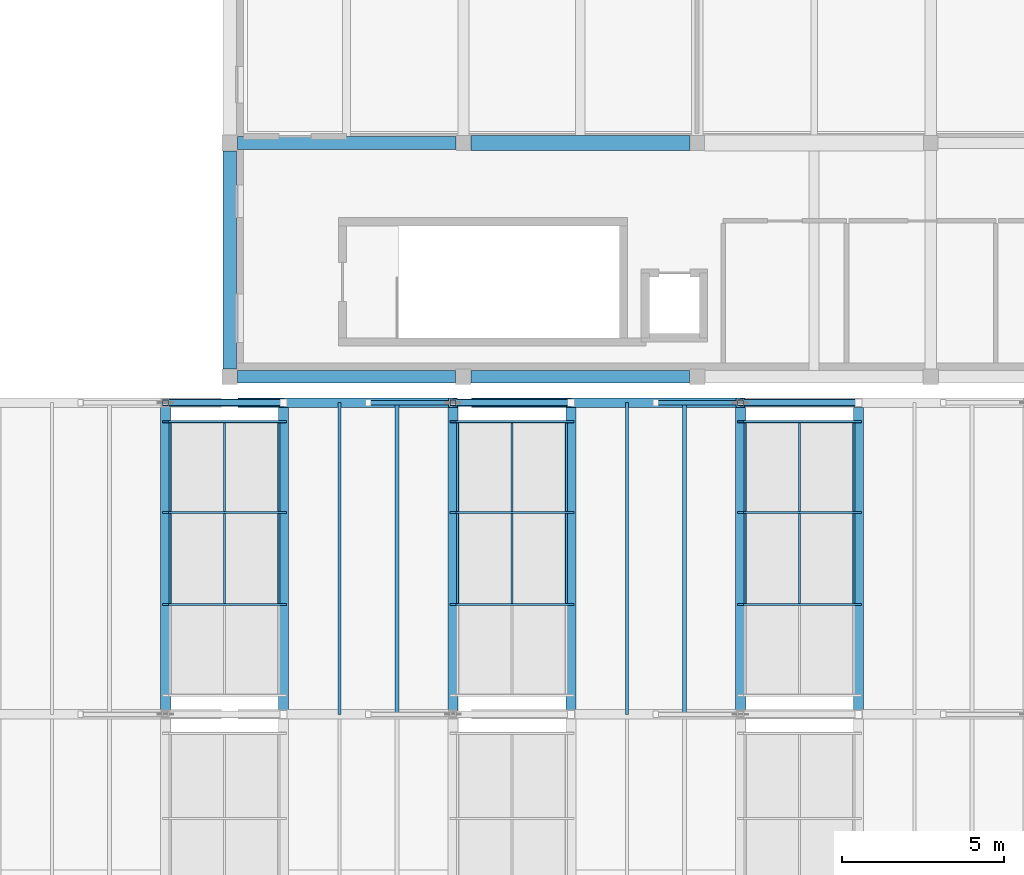
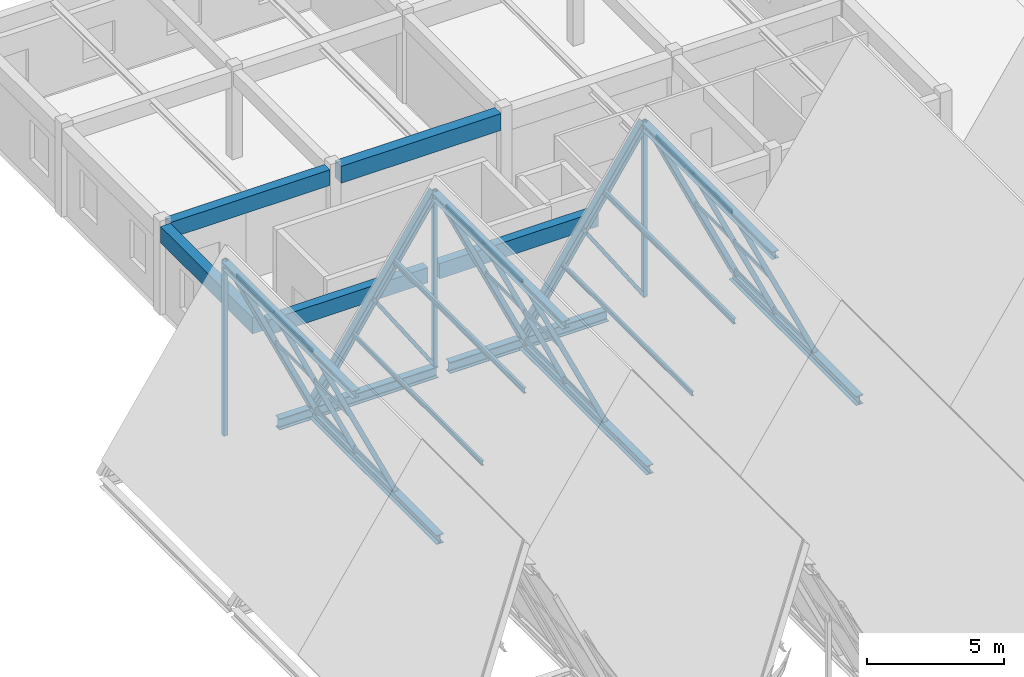
# One storey, part 58 of 99: 41 members, 13 beams, 3 elements without a shape of their own.
"""IFC4 building model written with IfcOpenShell, lengths in metres."""

from ifc_helpers import new_model, si_unit, direction, frame, origin, origin_2d, place, context, subcontext, project, spatial, rectangle, hollow_rectangle, hollow_circle, i_section, extrude, material, material_profile, profile_set, type_object, element, aggregate, save


model = new_model("IFC4")

# Units and contexts
model_context = context("Model", 3, precision=1e-05, world=origin(), true_north=direction((0.0, 1.0)))
body_context = subcontext(model_context, "Body", "Model", "MODEL_VIEW")
ifc_project = project(units=[si_unit("LENGTHUNIT", "METRE"), si_unit("AREAUNIT", "SQUARE_METRE"), si_unit("VOLUMEUNIT", "CUBIC_METRE"), si_unit("PLANEANGLEUNIT", "RADIAN"), si_unit("MASSUNIT", "GRAM", prefix="KILO")], contexts=[model_context])

# Site, building, storey
site_placement = place(None, origin())
site = spatial("IfcSite", under=ifc_project, at=site_placement, CompositionType="ELEMENT")
building_placement = place(site_placement, origin())
building = spatial("IfcBuilding", under=site, at=building_placement, Name="Bramveld Media Centre", CompositionType="ELEMENT")
storey_placement = place(building_placement, frame((0.0, 0.0, 13.800048828125)))
storey = spatial("IfcBuildingStorey", under=building, at=storey_placement, Name="L03", CompositionType="ELEMENT", Elevation=13.800048828125)

# Beams
ifc_material_1 = material(Name="Concrete C40/50", Category="concrete")
ifc_material_profile_1 = material_profile(ifc_material_1, rectangle(XDim=0.39990234375, YDim=0.699951171875, at=origin_2d()), Name="RC 400x700")
ifc_profile_set_1 = profile_set([ifc_material_profile_1], Name="Concrete C40/50")
beam_type_1 = type_object("IfcBeamType", Name="BM-INT-RC-400x700", PredefinedType="BEAM", material=ifc_profile_set_1)
beam_1_placement = place(storey_placement, frame((131.43994140625, 46.39990234375, 3.60986328125), z_axis=(1.0, 0.0, 0.0), x_axis=(0.0, 1.0, 0.0)))
element("IfcBeam", 1, at=beam_1_placement, inside=storey, type_object=beam_type_1, Name="V4 L03 girder X-619", PredefinedType="BEAM", context=body_context, shape_type="SweptSolid", body=[
    extrude(rectangle(XDim=0.39990234375, YDim=0.699951171875, at=origin_2d()), origin(), (0.0, 0.0, 1.0), 6.735107421875),
])
ifc_material_2 = material(Name="Concrete C40/50", Category="concrete")
ifc_material_profile_2 = material_profile(ifc_material_2, rectangle(XDim=0.449951171875, YDim=0.75, at=origin_2d()), Name="RC 450x750")
ifc_profile_set_2 = profile_set([ifc_material_profile_2], Name="Concrete C40/50")
beam_type_2 = type_object("IfcBeamType", Name="BM-INT-RC-450x750", PredefinedType="BEAM", material=ifc_profile_set_2)
beam_2_placement = place(storey_placement, frame((138.625, 46.39990234375, 3.5849609375), z_axis=(1.0, 0.0, 0.0), x_axis=(0.0, 1.0, 0.0)))
element("IfcBeam", 2, at=beam_2_placement, inside=storey, type_object=beam_type_2, Name="V4 L03 girder X-620", PredefinedType="BEAM", context=body_context, shape_type="SweptSolid", body=[
    extrude(rectangle(XDim=0.449951171875, YDim=0.75, at=origin_2d()), origin(), (0.0, 0.0, 1.0), 6.75),
])

# Curtain wall, members
ifc_material_3 = material(Name="Thermally broken anodized bronze aluminium unitized curtain wall with solar-control triple glazing", Category="aluminium")
curtain_wall_type = type_object("IfcCurtainWallType", Name="CW-SAW-8500x8606", PredefinedType="NOTDEFINED", material=ifc_material_3)
curtain_wall_1_placement = place(storey_placement, origin())
curtain_wall_1 = element("IfcCurtainWall", 3, at=curtain_wall_1_placement, inside=storey, type_object=curtain_wall_type, Name="V1 sawtooth north-light clerestory B1-S3", PredefinedType="NOTDEFINED")
ifc_material_4 = material(Name="Thermally broken anodized bronze aluminium EN AW-6063 T6 curtain-wall framing", Category="aluminium")
ifc_material_profile_3 = material_profile(ifc_material_4, hollow_rectangle(XDim=0.070068359375, YDim=0.199951171875, WallThickness=0.00439453125, InnerFilletRadius=0.00439453125, OuterFilletRadius=0.009033203125, at=origin_2d()), Name="AL-MULL 70x200")
ifc_profile_set_3 = profile_set([ifc_material_profile_3], Name="Thermally broken anodized bronze aluminium EN AW-6063 T6 curtain-wall framing")
member_type_1 = type_object("IfcMemberType", Name="CW-MULL-SLP", PredefinedType="MULLION", material=ifc_profile_set_3)
member_1_placement = place(storey_placement, frame((132.857177734375, 32.183349609375, -0.02001953125), z_axis=(-0.423956992265, 0.0, 0.90568232218), x_axis=(0.0, -1.0, 0.0)))
member_1 = element("IfcMember", 4, at=member_1_placement, type_object=member_type_1, Name="CW-SA-8586 sloped mullion 2", PredefinedType="MULLION", context=body_context, shape_type="SweptSolid", body=[
    extrude(hollow_rectangle(XDim=0.070068359375, YDim=0.199951171875, WallThickness=0.00439453125, InnerFilletRadius=0.00439453125, OuterFilletRadius=0.009033203125, at=origin_2d()), origin(), (0.0, 0.0, 1.0), 8.5791015625),
])
member_2_placement = place(storey_placement, frame((132.857177734375, 35.0166015625, -0.02001953125), z_axis=(-0.423956992265, 0.0, 0.90568232218), x_axis=(0.0, -1.0, 0.0)))
member_2 = element("IfcMember", 5, at=member_2_placement, type_object=member_type_1, Name="CW-SA-8586 sloped mullion 3", PredefinedType="MULLION", context=body_context, shape_type="SweptSolid", body=[
    extrude(hollow_rectangle(XDim=0.070068359375, YDim=0.199951171875, WallThickness=0.00439453125, InnerFilletRadius=0.00439453125, OuterFilletRadius=0.009033203125, at=origin_2d()), origin(), (0.0, 0.0, 1.0), 8.5791015625),
])
member_3_placement = place(storey_placement, frame((132.857177734375, 37.81494140625, -0.02001953125), z_axis=(-0.423956992265, 0.0, 0.90568232218), x_axis=(0.0, -1.0, 0.0)))
member_3 = element("IfcMember", 6, at=member_3_placement, type_object=member_type_1, Name="CW-SA-8586 sloped mullion 4", PredefinedType="MULLION", context=body_context, shape_type="SweptSolid", body=[
    extrude(hollow_rectangle(XDim=0.070068359375, YDim=0.199951171875, WallThickness=0.00439453125, InnerFilletRadius=0.00439453125, OuterFilletRadius=0.009033203125, at=origin_2d()), origin(), (0.0, 0.0, 1.0), 8.5791015625),
])

curtain_wall_2_placement = place(storey_placement, origin())
curtain_wall_2 = element("IfcCurtainWall", 7, at=curtain_wall_2_placement, inside=storey, type_object=curtain_wall_type, Name="V1 sawtooth north-light clerestory B2-S3", PredefinedType="NOTDEFINED")
member_4_placement = place(storey_placement, frame((141.71435546875, 32.183349609375, -0.02001953125), z_axis=(-0.423980334249, 0.0, 0.905671395248), x_axis=(0.0, -1.0, 0.0)))
member_4 = element("IfcMember", 8, at=member_4_placement, type_object=member_type_1, Name="CW-SA-8586 sloped mullion 2", PredefinedType="MULLION", context=body_context, shape_type="SweptSolid", body=[
    extrude(hollow_rectangle(XDim=0.070068359375, YDim=0.199951171875, WallThickness=0.00439453125, InnerFilletRadius=0.00439453125, OuterFilletRadius=0.009033203125, at=origin_2d()), origin(), (0.0, 0.0, 1.0), 8.579345703125),
])
member_5_placement = place(storey_placement, frame((141.71435546875, 35.0166015625, -0.02001953125), z_axis=(-0.423980334249, 0.0, 0.905671395248), x_axis=(0.0, -1.0, 0.0)))
member_5 = element("IfcMember", 9, at=member_5_placement, type_object=member_type_1, Name="CW-SA-8586 sloped mullion 3", PredefinedType="MULLION", context=body_context, shape_type="SweptSolid", body=[
    extrude(hollow_rectangle(XDim=0.070068359375, YDim=0.199951171875, WallThickness=0.00439453125, InnerFilletRadius=0.00439453125, OuterFilletRadius=0.009033203125, at=origin_2d()), origin(), (0.0, 0.0, 1.0), 8.579345703125),
])
member_6_placement = place(storey_placement, frame((141.71435546875, 37.81494140625, -0.02001953125), z_axis=(-0.423980334249, 0.0, 0.905671395248), x_axis=(0.0, -1.0, 0.0)))
member_6 = element("IfcMember", 10, at=member_6_placement, type_object=member_type_1, Name="CW-SA-8586 sloped mullion 4", PredefinedType="MULLION", context=body_context, shape_type="SweptSolid", body=[
    extrude(hollow_rectangle(XDim=0.070068359375, YDim=0.199951171875, WallThickness=0.00439453125, InnerFilletRadius=0.00439453125, OuterFilletRadius=0.009033203125, at=origin_2d()), origin(), (0.0, 0.0, 1.0), 8.579345703125),
])

curtain_wall_3_placement = place(storey_placement, origin())
curtain_wall_3 = element("IfcCurtainWall", 11, at=curtain_wall_3_placement, inside=storey, type_object=curtain_wall_type, Name="V1 sawtooth north-light clerestory B3-S3", PredefinedType="NOTDEFINED")
member_7_placement = place(storey_placement, frame((150.5712890625, 32.183349609375, -0.02001953125), z_axis=(-0.423956992265, 0.0, 0.90568232218), x_axis=(0.0, -1.0, 0.0)))
member_7 = element("IfcMember", 12, at=member_7_placement, type_object=member_type_1, Name="CW-SA-8586 sloped mullion 2", PredefinedType="MULLION", context=body_context, shape_type="SweptSolid", body=[
    extrude(hollow_rectangle(XDim=0.070068359375, YDim=0.199951171875, WallThickness=0.00439453125, InnerFilletRadius=0.00439453125, OuterFilletRadius=0.009033203125, at=origin_2d()), origin(), (0.0, 0.0, 1.0), 8.5791015625),
])
member_8_placement = place(storey_placement, frame((150.5712890625, 35.0166015625, -0.02001953125), z_axis=(-0.423956992265, 0.0, 0.90568232218), x_axis=(0.0, -1.0, 0.0)))
member_8 = element("IfcMember", 13, at=member_8_placement, type_object=member_type_1, Name="CW-SA-8586 sloped mullion 3", PredefinedType="MULLION", context=body_context, shape_type="SweptSolid", body=[
    extrude(hollow_rectangle(XDim=0.070068359375, YDim=0.199951171875, WallThickness=0.00439453125, InnerFilletRadius=0.00439453125, OuterFilletRadius=0.009033203125, at=origin_2d()), origin(), (0.0, 0.0, 1.0), 8.5791015625),
])
member_9_placement = place(storey_placement, frame((150.5712890625, 37.81494140625, -0.02001953125), z_axis=(-0.423956992265, 0.0, 0.90568232218), x_axis=(0.0, -1.0, 0.0)))
member_9 = element("IfcMember", 14, at=member_9_placement, type_object=member_type_1, Name="CW-SA-8586 sloped mullion 4", PredefinedType="MULLION", context=body_context, shape_type="SweptSolid", body=[
    extrude(hollow_rectangle(XDim=0.070068359375, YDim=0.199951171875, WallThickness=0.00439453125, InnerFilletRadius=0.00439453125, OuterFilletRadius=0.009033203125, at=origin_2d()), origin(), (0.0, 0.0, 1.0), 8.5791015625),
])

# Member
ifc_material_5 = material(Name="Thermally broken anodized bronze aluminium EN AW-6063 T6 curtain-wall framing", Category="aluminium")
ifc_material_profile_4 = material_profile(ifc_material_5, hollow_rectangle(XDim=0.070068359375, YDim=0.14990234375, WallThickness=0.00390625, InnerFilletRadius=0.00390625, OuterFilletRadius=0.008056640625, at=origin_2d()), Name="AL-TRAN 70x150")
ifc_profile_set_4 = profile_set([ifc_material_profile_4], Name="Thermally broken anodized bronze aluminium EN AW-6063 T6 curtain-wall framing")
member_type_2 = type_object("IfcMemberType", Name="CW-TRAN-SLP", PredefinedType="USERDEFINED", material=ifc_profile_set_4)
member_10_placement = place(storey_placement, frame((132.711669921875, 32.21826171875, 0.290771484375), z_axis=(0.0, 1.0, 0.0), x_axis=(-1.0, 0.0, 0.0)))
member_10 = element("IfcMember", 15, at=member_10_placement, type_object=member_type_2, Name="CW-SA-8586 transom 2.1", ObjectType="TRANSOM", PredefinedType="USERDEFINED", context=body_context, shape_type="SweptSolid", body=[
    extrude(hollow_rectangle(XDim=0.070068359375, YDim=0.14990234375, WallThickness=0.00390625, InnerFilletRadius=0.00390625, OuterFilletRadius=0.008056640625, at=origin_2d()), origin(), (0.0, 0.0, 1.0), 2.763427734375),
])

member_11_placement = place(storey_placement, frame((131.03857421875, 32.21826171875, 3.864990234375), z_axis=(0.0, 1.0, 0.0), x_axis=(-1.0, 0.0, 0.0)))
member_11 = element("IfcMember", 16, at=member_11_placement, type_object=member_type_2, Name="CW-SA-8586 transom 2.2", ObjectType="TRANSOM", PredefinedType="USERDEFINED", context=body_context, shape_type="SweptSolid", body=[
    extrude(hollow_rectangle(XDim=0.070068359375, YDim=0.14990234375, WallThickness=0.00390625, InnerFilletRadius=0.00390625, OuterFilletRadius=0.008056640625, at=origin_2d()), origin(), (0.0, 0.0, 1.0), 2.763427734375),
])

member_12_placement = place(storey_placement, frame((129.365478515625, 32.21826171875, 7.439208984375), z_axis=(0.0, 1.0, 0.0), x_axis=(-1.0, 0.0, 0.0)))
member_12 = element("IfcMember", 17, at=member_12_placement, type_object=member_type_2, Name="CW-SA-8586 transom 2.3", ObjectType="TRANSOM", PredefinedType="USERDEFINED", context=body_context, shape_type="SweptSolid", body=[
    extrude(hollow_rectangle(XDim=0.070068359375, YDim=0.14990234375, WallThickness=0.00390625, InnerFilletRadius=0.00390625, OuterFilletRadius=0.008056640625, at=origin_2d()), origin(), (0.0, 0.0, 1.0), 2.763427734375),
])

member_13_placement = place(storey_placement, frame((132.711669921875, 35.0517578125, 0.290771484375), z_axis=(0.0, 1.0, 0.0), x_axis=(-1.0, 0.0, 0.0)))
member_13 = element("IfcMember", 18, at=member_13_placement, type_object=member_type_2, Name="CW-SA-8586 transom 3.1", ObjectType="TRANSOM", PredefinedType="USERDEFINED", context=body_context, shape_type="SweptSolid", body=[
    extrude(hollow_rectangle(XDim=0.070068359375, YDim=0.14990234375, WallThickness=0.00390625, InnerFilletRadius=0.00390625, OuterFilletRadius=0.008056640625, at=origin_2d()), origin(), (0.0, 0.0, 1.0), 2.728271484375),
])

member_14_placement = place(storey_placement, frame((131.03857421875, 35.0517578125, 3.864990234375), z_axis=(0.0, 1.0, 0.0), x_axis=(-1.0, 0.0, 0.0)))
member_14 = element("IfcMember", 19, at=member_14_placement, type_object=member_type_2, Name="CW-SA-8586 transom 3.2", ObjectType="TRANSOM", PredefinedType="USERDEFINED", context=body_context, shape_type="SweptSolid", body=[
    extrude(hollow_rectangle(XDim=0.070068359375, YDim=0.14990234375, WallThickness=0.00390625, InnerFilletRadius=0.00390625, OuterFilletRadius=0.008056640625, at=origin_2d()), origin(), (0.0, 0.0, 1.0), 2.728271484375),
])

member_15_placement = place(storey_placement, frame((129.365478515625, 35.0517578125, 7.439208984375), z_axis=(0.0, 1.0, 0.0), x_axis=(-1.0, 0.0, 0.0)))
member_15 = element("IfcMember", 20, at=member_15_placement, type_object=member_type_2, Name="CW-SA-8586 transom 3.3", ObjectType="TRANSOM", PredefinedType="USERDEFINED", context=body_context, shape_type="SweptSolid", body=[
    extrude(hollow_rectangle(XDim=0.070068359375, YDim=0.14990234375, WallThickness=0.00390625, InnerFilletRadius=0.00390625, OuterFilletRadius=0.008056640625, at=origin_2d()), origin(), (0.0, 0.0, 1.0), 2.728271484375),
])

aggregate(curtain_wall_1, [member_1, member_2, member_3, member_10, member_11, member_12, member_13, member_14, member_15])

member_16_placement = place(storey_placement, frame((141.56884765625, 32.21826171875, 0.290771484375), z_axis=(0.0, 1.0, 0.0), x_axis=(-1.0, 0.0, 0.0)))
member_16 = element("IfcMember", 21, at=member_16_placement, type_object=member_type_2, Name="CW-SA-8586 transom 2.1", ObjectType="TRANSOM", PredefinedType="USERDEFINED", context=body_context, shape_type="SweptSolid", body=[
    extrude(hollow_rectangle(XDim=0.070068359375, YDim=0.14990234375, WallThickness=0.00390625, InnerFilletRadius=0.00390625, OuterFilletRadius=0.008056640625, at=origin_2d()), origin(), (0.0, 0.0, 1.0), 2.763427734375),
])

member_17_placement = place(storey_placement, frame((139.8955078125, 32.21826171875, 3.864990234375), z_axis=(0.0, 1.0, 0.0), x_axis=(-1.0, 0.0, 0.0)))
member_17 = element("IfcMember", 22, at=member_17_placement, type_object=member_type_2, Name="CW-SA-8586 transom 2.2", ObjectType="TRANSOM", PredefinedType="USERDEFINED", context=body_context, shape_type="SweptSolid", body=[
    extrude(hollow_rectangle(XDim=0.070068359375, YDim=0.14990234375, WallThickness=0.00390625, InnerFilletRadius=0.00390625, OuterFilletRadius=0.008056640625, at=origin_2d()), origin(), (0.0, 0.0, 1.0), 2.763427734375),
])

member_18_placement = place(storey_placement, frame((138.222412109375, 32.21826171875, 7.439208984375), z_axis=(0.0, 1.0, 0.0), x_axis=(-1.0, 0.0, 0.0)))
member_18 = element("IfcMember", 23, at=member_18_placement, type_object=member_type_2, Name="CW-SA-8586 transom 2.3", ObjectType="TRANSOM", PredefinedType="USERDEFINED", context=body_context, shape_type="SweptSolid", body=[
    extrude(hollow_rectangle(XDim=0.070068359375, YDim=0.14990234375, WallThickness=0.00390625, InnerFilletRadius=0.00390625, OuterFilletRadius=0.008056640625, at=origin_2d()), origin(), (0.0, 0.0, 1.0), 2.763427734375),
])

member_19_placement = place(storey_placement, frame((141.56884765625, 35.0517578125, 0.290771484375), z_axis=(0.0, 1.0, 0.0), x_axis=(-1.0, 0.0, 0.0)))
member_19 = element("IfcMember", 24, at=member_19_placement, type_object=member_type_2, Name="CW-SA-8586 transom 3.1", ObjectType="TRANSOM", PredefinedType="USERDEFINED", context=body_context, shape_type="SweptSolid", body=[
    extrude(hollow_rectangle(XDim=0.070068359375, YDim=0.14990234375, WallThickness=0.00390625, InnerFilletRadius=0.00390625, OuterFilletRadius=0.008056640625, at=origin_2d()), origin(), (0.0, 0.0, 1.0), 2.728271484375),
])

member_20_placement = place(storey_placement, frame((139.8955078125, 35.0517578125, 3.864990234375), z_axis=(0.0, 1.0, 0.0), x_axis=(-1.0, 0.0, 0.0)))
member_20 = element("IfcMember", 25, at=member_20_placement, type_object=member_type_2, Name="CW-SA-8586 transom 3.2", ObjectType="TRANSOM", PredefinedType="USERDEFINED", context=body_context, shape_type="SweptSolid", body=[
    extrude(hollow_rectangle(XDim=0.070068359375, YDim=0.14990234375, WallThickness=0.00390625, InnerFilletRadius=0.00390625, OuterFilletRadius=0.008056640625, at=origin_2d()), origin(), (0.0, 0.0, 1.0), 2.728271484375),
])

member_21_placement = place(storey_placement, frame((138.222412109375, 35.0517578125, 7.439208984375), z_axis=(0.0, 1.0, 0.0), x_axis=(-1.0, 0.0, 0.0)))
member_21 = element("IfcMember", 26, at=member_21_placement, type_object=member_type_2, Name="CW-SA-8586 transom 3.3", ObjectType="TRANSOM", PredefinedType="USERDEFINED", context=body_context, shape_type="SweptSolid", body=[
    extrude(hollow_rectangle(XDim=0.070068359375, YDim=0.14990234375, WallThickness=0.00390625, InnerFilletRadius=0.00390625, OuterFilletRadius=0.008056640625, at=origin_2d()), origin(), (0.0, 0.0, 1.0), 2.728271484375),
])

aggregate(curtain_wall_2, [member_4, member_5, member_6, member_16, member_17, member_18, member_19, member_20, member_21])

member_22_placement = place(storey_placement, frame((150.42578125, 32.21826171875, 0.290771484375), z_axis=(0.0, 1.0, 0.0), x_axis=(-1.0, 0.0, 0.0)))
member_22 = element("IfcMember", 27, at=member_22_placement, type_object=member_type_2, Name="CW-SA-8586 transom 2.1", ObjectType="TRANSOM", PredefinedType="USERDEFINED", context=body_context, shape_type="SweptSolid", body=[
    extrude(hollow_rectangle(XDim=0.070068359375, YDim=0.14990234375, WallThickness=0.00390625, InnerFilletRadius=0.00390625, OuterFilletRadius=0.008056640625, at=origin_2d()), origin(), (0.0, 0.0, 1.0), 2.763427734375),
])

member_23_placement = place(storey_placement, frame((148.752685546875, 32.21826171875, 3.864990234375), z_axis=(0.0, 1.0, 0.0), x_axis=(-1.0, 0.0, 0.0)))
member_23 = element("IfcMember", 28, at=member_23_placement, type_object=member_type_2, Name="CW-SA-8586 transom 2.2", ObjectType="TRANSOM", PredefinedType="USERDEFINED", context=body_context, shape_type="SweptSolid", body=[
    extrude(hollow_rectangle(XDim=0.070068359375, YDim=0.14990234375, WallThickness=0.00390625, InnerFilletRadius=0.00390625, OuterFilletRadius=0.008056640625, at=origin_2d()), origin(), (0.0, 0.0, 1.0), 2.763427734375),
])

member_24_placement = place(storey_placement, frame((147.07958984375, 32.21826171875, 7.439208984375), z_axis=(0.0, 1.0, 0.0), x_axis=(-1.0, 0.0, 0.0)))
member_24 = element("IfcMember", 29, at=member_24_placement, type_object=member_type_2, Name="CW-SA-8586 transom 2.3", ObjectType="TRANSOM", PredefinedType="USERDEFINED", context=body_context, shape_type="SweptSolid", body=[
    extrude(hollow_rectangle(XDim=0.070068359375, YDim=0.14990234375, WallThickness=0.00390625, InnerFilletRadius=0.00390625, OuterFilletRadius=0.008056640625, at=origin_2d()), origin(), (0.0, 0.0, 1.0), 2.763427734375),
])

member_25_placement = place(storey_placement, frame((150.42578125, 35.0517578125, 0.290771484375), z_axis=(0.0, 1.0, 0.0), x_axis=(-1.0, 0.0, 0.0)))
member_25 = element("IfcMember", 30, at=member_25_placement, type_object=member_type_2, Name="CW-SA-8586 transom 3.1", ObjectType="TRANSOM", PredefinedType="USERDEFINED", context=body_context, shape_type="SweptSolid", body=[
    extrude(hollow_rectangle(XDim=0.070068359375, YDim=0.14990234375, WallThickness=0.00390625, InnerFilletRadius=0.00390625, OuterFilletRadius=0.008056640625, at=origin_2d()), origin(), (0.0, 0.0, 1.0), 2.728271484375),
])

member_26_placement = place(storey_placement, frame((148.752685546875, 35.0517578125, 3.864990234375), z_axis=(0.0, 1.0, 0.0), x_axis=(-1.0, 0.0, 0.0)))
member_26 = element("IfcMember", 31, at=member_26_placement, type_object=member_type_2, Name="CW-SA-8586 transom 3.2", ObjectType="TRANSOM", PredefinedType="USERDEFINED", context=body_context, shape_type="SweptSolid", body=[
    extrude(hollow_rectangle(XDim=0.070068359375, YDim=0.14990234375, WallThickness=0.00390625, InnerFilletRadius=0.00390625, OuterFilletRadius=0.008056640625, at=origin_2d()), origin(), (0.0, 0.0, 1.0), 2.728271484375),
])

member_27_placement = place(storey_placement, frame((147.07958984375, 35.0517578125, 7.439208984375), z_axis=(0.0, 1.0, 0.0), x_axis=(-1.0, 0.0, 0.0)))
member_27 = element("IfcMember", 32, at=member_27_placement, type_object=member_type_2, Name="CW-SA-8586 transom 3.3", ObjectType="TRANSOM", PredefinedType="USERDEFINED", context=body_context, shape_type="SweptSolid", body=[
    extrude(hollow_rectangle(XDim=0.070068359375, YDim=0.14990234375, WallThickness=0.00390625, InnerFilletRadius=0.00390625, OuterFilletRadius=0.008056640625, at=origin_2d()), origin(), (0.0, 0.0, 1.0), 2.728271484375),
])

aggregate(curtain_wall_3, [member_7, member_8, member_9, member_22, member_23, member_24, member_25, member_26, member_27])

# Members
ifc_material_6 = material(Name="Steel S355J2H", Category="steel")
ifc_material_profile_5 = material_profile(ifc_material_6, hollow_circle(Radius=0.109619140625, WallThickness=0.012451171875, at=origin_2d()), Name="CHS 219.1x12.5")
ifc_profile_set_5 = profile_set([ifc_material_profile_5], Name="Steel S355J2H")
member_type_3 = type_object("IfcMemberType", Name="MEM-BRACE-CHS219", PredefinedType="BRACE", material=ifc_profile_set_5)
for number, where, z_axis, x_axis, name in (
    (33, (132.857177734375, 38.39990234375, 0.0), (-0.422616785161, 0.0, 0.906308475575), (0.0, -1.0, 0.0), "TRUSS-V1-B01-F5 north-light strut"),
    (34, (141.71435546875, 38.39990234375, 0.0), (-0.422640085544, 0.0, 0.90629761011), (0.0, -1.0, 0.0), "TRUSS-V1-B02-F5 north-light strut"),
    (35, (150.5712890625, 38.39990234375, 0.0), (-0.422616785161, 0.0, 0.906308475575), (0.0, -1.0, 0.0), "TRUSS-V1-B03-F5 north-light strut"),
):
    element("IfcMember", number, at=place(storey_placement, frame(where, z_axis=z_axis, x_axis=x_axis)), inside=storey, type_object=member_type_3, Name=name, PredefinedType="BRACE", context=body_context, shape_type="SweptSolid", body=[
        extrude(hollow_circle(Radius=0.109619140625, WallThickness=0.012451171875, at=origin_2d()), origin(), (0.0, 0.0, 1.0), 8.6064453125),
    ])
ifc_material_7 = material(Name="Steel S355J2H", Category="steel")
ifc_material_profile_6 = material_profile(ifc_material_7, hollow_rectangle(XDim=0.14990234375, YDim=0.14990234375, WallThickness=0.010009765625, InnerFilletRadius=0.010009765625, OuterFilletRadius=0.02001953125, at=origin_2d()), Name="SHS 150x150x10")
ifc_profile_set_6 = profile_set([ifc_material_profile_6], Name="Steel S355J2H")
member_type_4 = type_object("IfcMemberType", Name="MEM-BRACE-SHS150", PredefinedType="BRACE", material=ifc_profile_set_6)
for number, where, z_axis, x_axis, name in (
    (36, (138.076904296875, 38.39990234375, 0.0), (-0.55616408489, 0.0, 0.83107250627), (0.0, -1.0, 0.0), "TRUSS-V1-B02-F5 web diagonal"),
    (37, (146.93408203125, 38.39990234375, 0.0), (-0.55616408489, 0.0, 0.83107250627), (0.0, -1.0, 0.0), "TRUSS-V1-B03-F5 web diagonal"),
):
    element("IfcMember", number, at=place(storey_placement, frame(where, z_axis=z_axis, x_axis=x_axis)), inside=storey, type_object=member_type_4, Name=name, PredefinedType="BRACE", context=body_context, shape_type="SweptSolid", body=[
        extrude(hollow_rectangle(XDim=0.14990234375, YDim=0.14990234375, WallThickness=0.010009765625, InnerFilletRadius=0.010009765625, OuterFilletRadius=0.02001953125, at=origin_2d()), origin(), (0.0, 0.0, 1.0), 4.692626953125),
    ])
ifc_material_8 = material(Name="Steel S355J2", Category="steel")
ifc_material_profile_7 = material_profile(ifc_material_8, i_section(OverallWidth=0.300048828125, OverallDepth=0.340087890625, WebThickness=0.011962890625, FlangeThickness=0.021484375, FilletRadius=0.027099609375, at=origin_2d()), Name="HEB 340")
ifc_profile_set_7 = profile_set([ifc_material_profile_7], Name="Steel S355J2")
member_type_5 = type_object("IfcMemberType", Name="MEM-CHORD-HEB340", PredefinedType="CHORD", material=ifc_profile_set_7)
for number, where, z_axis, x_axis, name in (
    (38, (132.857177734375, 38.39990234375, 0.0), (0.55615206142, 0.0, 0.8310805524), (0.0, 1.0, 0.0), "TRUSS-V1-B02-F5 top rafter chord"),
    (39, (141.71435546875, 38.39990234375, 0.0), (0.55615206142, 0.0, 0.8310805524), (0.0, 1.0, 0.0), "TRUSS-V1-B03-F5 top rafter chord"),
):
    element("IfcMember", number, at=place(storey_placement, frame(where, z_axis=z_axis, x_axis=x_axis)), inside=storey, type_object=member_type_5, Name=name, PredefinedType="CHORD", context=body_context, shape_type="SweptSolid", body=[
        extrude(i_section(OverallWidth=0.300048828125, OverallDepth=0.340087890625, WebThickness=0.011962890625, FlangeThickness=0.021484375, FilletRadius=0.027099609375, at=origin_2d()), origin(), (0.0, 0.0, 1.0), 9.385498046875),
    ])
ifc_material_9 = material(Name="Steel S355J2H", Category="steel")
ifc_material_profile_8 = material_profile(ifc_material_9, hollow_rectangle(XDim=0.179931640625, YDim=0.179931640625, WallThickness=0.010009765625, InnerFilletRadius=0.010009765625, OuterFilletRadius=0.02001953125, at=origin_2d()), Name="SHS 180x180x10")
ifc_profile_set_8 = profile_set([ifc_material_profile_8], Name="Steel S355J2H")
member_type_6 = type_object("IfcMemberType", Name="MEM-POST-SHS180", PredefinedType="POST", material=ifc_profile_set_8)
for number, where, z_axis, x_axis, name in (
    (40, (129.219970703125, 38.39990234375, 0.0), (0.0, 0.0, 1.0), (1.0, 0.0, 0.0), "TRUSS-V1-B01-F5 kingpost"),
    (41, (138.076904296875, 38.39990234375, 0.0), (0.0, 0.0, 1.0), (1.0, 0.0, 0.0), "TRUSS-V1-B02-F5 kingpost"),
    (42, (146.93408203125, 38.39990234375, 0.0), (0.0, 0.0, 1.0), (1.0, 0.0, 0.0), "TRUSS-V1-B03-F5 kingpost"),
):
    element("IfcMember", number, at=place(storey_placement, frame(where, z_axis=z_axis, x_axis=x_axis)), inside=storey, type_object=member_type_6, Name=name, PredefinedType="POST", context=body_context, shape_type="SweptSolid", body=[
        extrude(hollow_rectangle(XDim=0.179931640625, YDim=0.179931640625, WallThickness=0.010009765625, InnerFilletRadius=0.010009765625, OuterFilletRadius=0.02001953125, at=origin_2d()), origin(), (0.0, 0.0, 1.0), 7.800048828125),
    ])
ifc_material_10 = material(Name="Steel S355J2", Category="steel")
ifc_material_profile_9 = material_profile(ifc_material_10, i_section(OverallWidth=0.10009765625, OverallDepth=0.199951171875, WebThickness=0.005615234375, FlangeThickness=0.008544921875, FilletRadius=0.011962890625, at=origin_2d()), Name="IPE 200")
ifc_profile_set_9 = profile_set([ifc_material_profile_9], Name="Steel S355J2")
member_type_7 = type_object("IfcMemberType", Name="MEM-PURLIN-IPE200", PredefinedType="PURLIN", material=ifc_profile_set_9)
for number, where, z_axis, x_axis, name in (
    (43, (134.57958984375, 28.800048828125, 2.666259765625), (0.0, 1.0, 0.0), (-1.0, 0.0, 0.0), "V1 roof purlin"),
    (44, (143.43701171875, 28.800048828125, 2.666259765625), (0.0, 1.0, 0.0), (-1.0, 0.0, 0.0), "V1 roof purlin"),
):
    element("IfcMember", number, at=place(storey_placement, frame(where, z_axis=z_axis, x_axis=x_axis)), inside=storey, type_object=member_type_7, Name=name, PredefinedType="PURLIN", context=body_context, shape_type="SweptSolid", body=[
        extrude(i_section(OverallWidth=0.10009765625, OverallDepth=0.199951171875, WebThickness=0.005615234375, FlangeThickness=0.008544921875, FilletRadius=0.011962890625, at=origin_2d()), origin(), (0.0, 0.0, 1.0), 9.599853515625),
    ])
ifc_material_11 = material(Name="Steel S355J2", Category="steel")
ifc_material_profile_10 = material_profile(ifc_material_11, i_section(OverallWidth=0.1201171875, OverallDepth=0.239990234375, WebThickness=0.006103515625, FlangeThickness=0.009765625, FilletRadius=0.014892578125, at=origin_2d()), Name="IPE 240")
ifc_profile_set_10 = profile_set([ifc_material_profile_10], Name="Steel S355J2")
member_type_8 = type_object("IfcMemberType", Name="MEM-PURLIN-IPE240", PredefinedType="PURLIN", material=ifc_profile_set_10)
for number, where, z_axis, x_axis, name in (
    (45, (136.3544921875, 28.800048828125, 5.283447265625), (0.0, 1.0, 0.0), (-1.0, 0.0, 0.0), "V1 roof purlin"),
    (46, (145.211669921875, 28.800048828125, 5.283447265625), (0.0, 1.0, 0.0), (-1.0, 0.0, 0.0), "V1 roof purlin"),
):
    element("IfcMember", number, at=place(storey_placement, frame(where, z_axis=z_axis, x_axis=x_axis)), inside=storey, type_object=member_type_8, Name=name, PredefinedType="PURLIN", context=body_context, shape_type="SweptSolid", body=[
        extrude(i_section(OverallWidth=0.1201171875, OverallDepth=0.239990234375, WebThickness=0.006103515625, FlangeThickness=0.009765625, FilletRadius=0.014892578125, at=origin_2d()), origin(), (0.0, 0.0, 1.0), 9.599853515625),
    ])

# Beams
ifc_material_12 = material(Name="Steel S355J2", Category="steel")
ifc_material_profile_11 = material_profile(ifc_material_12, i_section(OverallWidth=0.300048828125, OverallDepth=0.5, WebThickness=0.014404296875, FlangeThickness=0.028076171875, FilletRadius=0.027099609375, at=origin_2d()), Name="HEB 500")
ifc_profile_set_11 = profile_set([ifc_material_profile_11], Name="Steel S355J2")
beam_type_3 = type_object("IfcBeamType", Name="SBM-EXT-HEB-500", PredefinedType="BEAM", material=ifc_profile_set_11)
beam_3_placement = place(storey_placement, frame((131.449951171875, 38.39990234375, -0.25), z_axis=(1.0, 0.0, 0.0), x_axis=(0.0, 1.0, 0.0)))
element("IfcBeam", 47, at=beam_3_placement, inside=storey, type_object=beam_type_3, Name="V1 sawtooth tie girder", PredefinedType="BEAM", context=body_context, shape_type="SweptSolid", body=[
    extrude(i_section(OverallWidth=0.300048828125, OverallDepth=0.5, WebThickness=0.014404296875, FlangeThickness=0.028076171875, FilletRadius=0.027099609375, at=origin_2d()), origin(), (0.0, 0.0, 1.0), 6.699951171875),
])
beam_4_placement = place(storey_placement, frame((138.64990234375, 38.39990234375, -0.25), z_axis=(1.0, 0.0, 0.0), x_axis=(0.0, 1.0, 0.0)))
element("IfcBeam", 48, at=beam_4_placement, inside=storey, type_object=beam_type_3, Name="V1 sawtooth tie girder", PredefinedType="BEAM", context=body_context, shape_type="SweptSolid", body=[
    extrude(i_section(OverallWidth=0.300048828125, OverallDepth=0.5, WebThickness=0.014404296875, FlangeThickness=0.028076171875, FilletRadius=0.027099609375, at=origin_2d()), origin(), (0.0, 0.0, 1.0), 6.7001953125),
])
ifc_material_13 = material(Name="Steel S355J2", Category="steel")
ifc_material_profile_12 = material_profile(ifc_material_13, i_section(OverallWidth=0.300048828125, OverallDepth=0.330078125, WebThickness=0.009521484375, FlangeThickness=0.0166015625, FilletRadius=0.027099609375, at=origin_2d()), Name="HEA 340")
ifc_profile_set_12 = profile_set([ifc_material_profile_12], Name="Steel S355J2")
beam_type_4 = type_object("IfcBeamType", Name="SBM-INT-HEA-340", PredefinedType="BEAM", material=ifc_profile_set_12)
for number, where, z_axis, x_axis, name in (
    (49, (129.219970703125, 28.800048828125, 7.635009765625), (0.0, 1.0, 0.0), (-1.0, 0.0, 0.0), "V1 ridge spine beam"),
    (50, (138.076904296875, 28.800048828125, 7.635009765625), (0.0, 1.0, 0.0), (-1.0, 0.0, 0.0), "V1 ridge spine beam"),
    (51, (146.93408203125, 28.800048828125, 7.635009765625), (0.0, 1.0, 0.0), (-1.0, 0.0, 0.0), "V1 ridge spine beam"),
):
    element("IfcBeam", number, at=place(storey_placement, frame(where, z_axis=z_axis, x_axis=x_axis)), inside=storey, type_object=beam_type_4, Name=name, PredefinedType="BEAM", context=body_context, shape_type="SweptSolid", body=[
        extrude(i_section(OverallWidth=0.300048828125, OverallDepth=0.330078125, WebThickness=0.009521484375, FlangeThickness=0.0166015625, FilletRadius=0.027099609375, at=origin_2d()), origin(), (0.0, 0.0, 1.0), 9.599853515625),
    ])
ifc_material_14 = material(Name="Steel S355J2", Category="steel")
ifc_material_profile_13 = material_profile(ifc_material_14, i_section(OverallWidth=0.300048828125, OverallDepth=0.39990234375, WebThickness=0.013427734375, FlangeThickness=0.02392578125, FilletRadius=0.027099609375, at=origin_2d()), Name="HEB 400")
ifc_profile_set_13 = profile_set([ifc_material_profile_13], Name="Steel S355J2")
beam_type_5 = type_object("IfcBeamType", Name="SBM-INT-HEB-400", PredefinedType="BEAM", material=ifc_profile_set_13)
for number, where, z_axis, x_axis, name in (
    (52, (132.857177734375, 28.93994140625, -0.199951171875), (0.0, 1.0, 0.0), (-1.0, 0.0, 0.0), "V1 valley spine girder 1"),
    (53, (141.71435546875, 28.93994140625, -0.199951171875), (0.0, 1.0, 0.0), (-1.0, 0.0, 0.0), "V1 valley spine girder 2"),
    (54, (150.5712890625, 28.93994140625, -0.199951171875), (0.0, 1.0, 0.0), (-1.0, 0.0, 0.0), "V1 valley spine girder 3"),
):
    element("IfcBeam", number, at=place(storey_placement, frame(where, z_axis=z_axis, x_axis=x_axis)), inside=storey, type_object=beam_type_5, Name=name, PredefinedType="BEAM", context=body_context, shape_type="SweptSolid", body=[
        extrude(i_section(OverallWidth=0.300048828125, OverallDepth=0.39990234375, WebThickness=0.013427734375, FlangeThickness=0.02392578125, FilletRadius=0.027099609375, at=origin_2d()), origin(), (0.0, 0.0, 1.0), 9.320068359375),
    ])
ifc_material_15 = material(Name="Concrete C40/50", Category="concrete")
ifc_material_profile_14 = material_profile(ifc_material_15, rectangle(XDim=0.3798828125, YDim=0.679931640625, at=origin_2d()), Name="RC 380x680")
ifc_profile_set_14 = profile_set([ifc_material_profile_14], Name="Concrete C40/50")
beam_type_6 = type_object("IfcBeamType", Name="SPANDREL-EXT-RC-380x680", PredefinedType="SPANDREL", material=ifc_profile_set_14)
beam_5_placement = place(storey_placement, frame((131.43994140625, 39.199951171875, 3.619873046875), z_axis=(1.0, 0.0, 0.0), x_axis=(0.0, 1.0, 0.0)))
element("IfcBeam", 55, at=beam_5_placement, inside=storey, type_object=beam_type_6, Name="V4 L03 girder X-615", PredefinedType="SPANDREL", context=body_context, shape_type="SweptSolid", body=[
    extrude(rectangle(XDim=0.3798828125, YDim=0.679931640625, at=origin_2d()), origin(), (0.0, 0.0, 1.0), 6.719970703125),
])
beam_6_placement = place(storey_placement, frame((138.639892578125, 39.199951171875, 3.619873046875), z_axis=(1.0, 0.0, 0.0), x_axis=(0.0, 1.0, 0.0)))
element("IfcBeam", 56, at=beam_6_placement, inside=storey, type_object=beam_type_6, Name="V4 L03 girder X-616", PredefinedType="SPANDREL", context=body_context, shape_type="SweptSolid", body=[
    extrude(rectangle(XDim=0.3798828125, YDim=0.679931640625, at=origin_2d()), origin(), (0.0, 0.0, 1.0), 6.72021484375),
])
ifc_material_16 = material(Name="Concrete C40/50", Category="concrete")
ifc_material_profile_15 = material_profile(ifc_material_16, rectangle(XDim=0.419921875, YDim=0.719970703125, at=origin_2d()), Name="RC 420x720")
ifc_profile_set_15 = profile_set([ifc_material_profile_15], Name="Concrete C40/50")
beam_type_7 = type_object("IfcBeamType", Name="SPANDREL-EXT-RC-420x720", PredefinedType="SPANDREL", material=ifc_profile_set_15)
beam_7_placement = place(storey_placement, frame((131.199951171875, 39.43994140625, 3.599853515625), z_axis=(0.0, 1.0, 0.0), x_axis=(-1.0, 0.0, 0.0)))
element("IfcBeam", 57, at=beam_7_placement, inside=storey, type_object=beam_type_7, Name="V4 L03 girder Y-631", PredefinedType="SPANDREL", context=body_context, shape_type="SweptSolid", body=[
    extrude(rectangle(XDim=0.419921875, YDim=0.719970703125, at=origin_2d()), origin(), (0.0, 0.0, 1.0), 6.719970703125),
])

save(model, "model.ifc")
